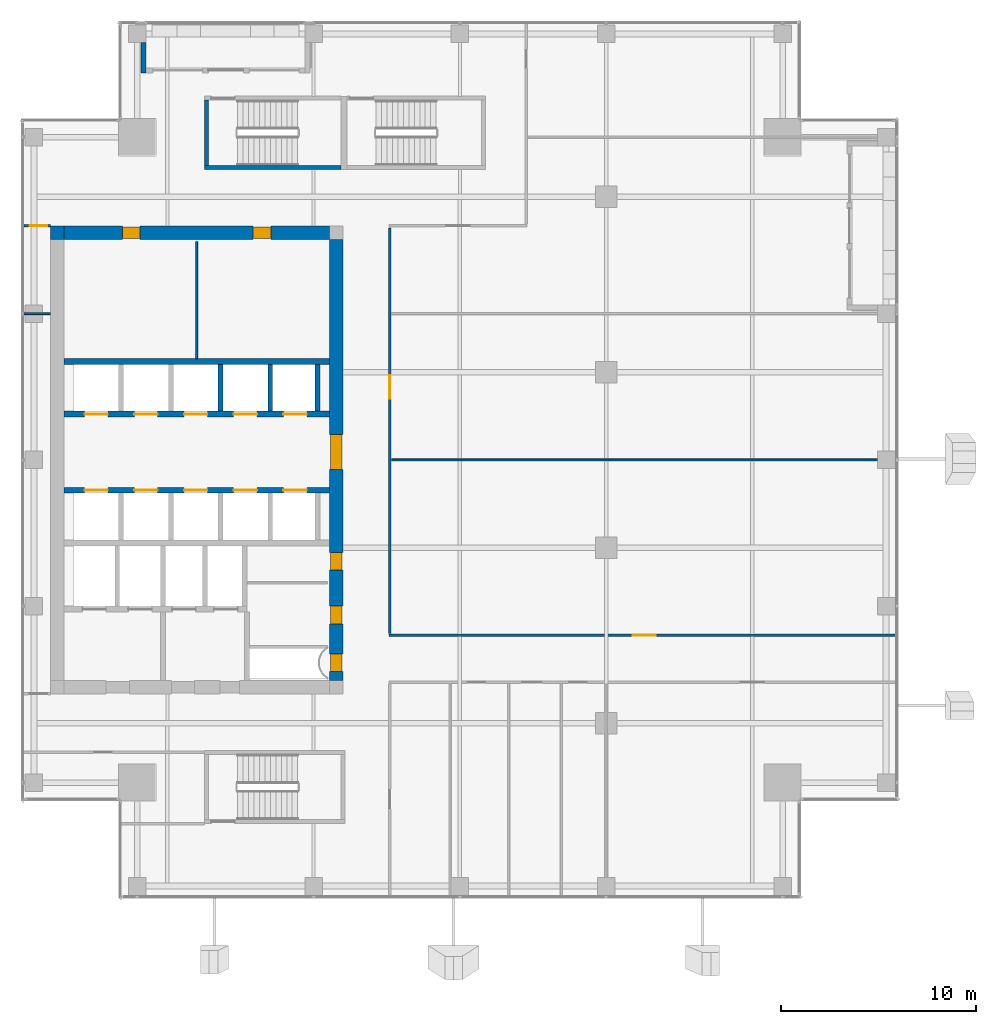
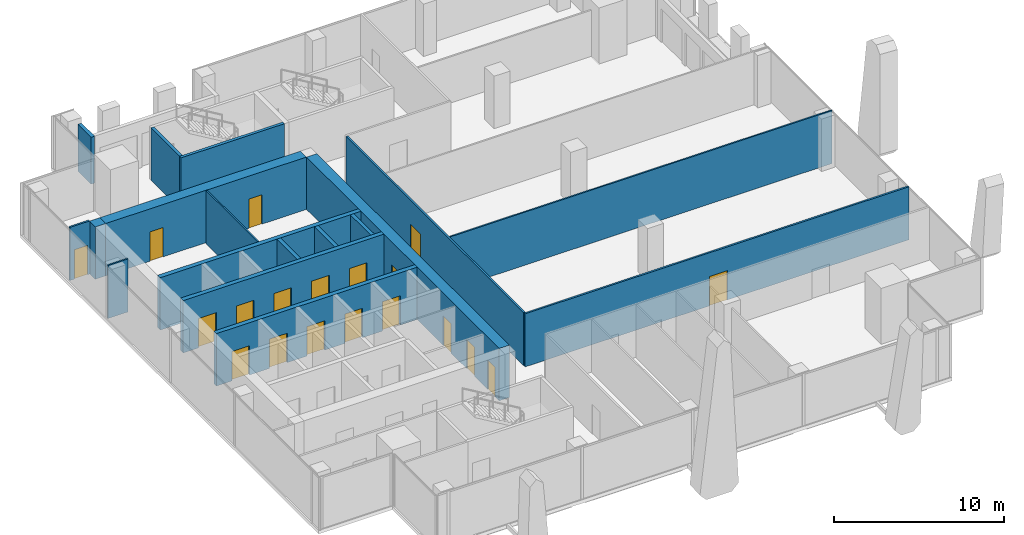
# One storey, part 31 of 35: 19 doors, 18 walls, 19 openings.
"""IFC4 building model written with IfcOpenShell, lengths in metres."""

from ifc_helpers import new_model, si_unit, direction, frame, frame_2d, origin, place, context, subcontext, project, spatial, rectangle, extrude, source, transform, mapped, material, layer, layer_set, type_object, element, fill, save


model = new_model("IFC4")

# Units and contexts
model_context = context("Model", 3, precision=1e-05, world=origin(), true_north=direction((0.0, 1.0)))
body_context = subcontext(model_context, "Body", "Model", "MODEL_VIEW")
ifc_project = project(units=[si_unit("LENGTHUNIT", "METRE"), si_unit("AREAUNIT", "SQUARE_METRE"), si_unit("VOLUMEUNIT", "CUBIC_METRE"), si_unit("PLANEANGLEUNIT", "RADIAN"), si_unit("MASSUNIT", "GRAM", prefix="KILO")], contexts=[model_context])

# Site, building, storey
site_placement = place(None, origin())
site = spatial("IfcSite", under=ifc_project, at=site_placement, CompositionType="ELEMENT")
building_placement = place(site_placement, origin())
building = spatial("IfcBuilding", under=site, at=building_placement, Name="Khomas Fold Tower", CompositionType="ELEMENT")
storey_placement = place(building_placement, frame((0.0, 0.0, 250.199951171875)))
storey = spatial("IfcBuildingStorey", under=building, at=storey_placement, Name="L56", CompositionType="ELEMENT", Elevation=250.199951171875)

# Walls
ifc_material_1 = material(Name="Concrete C50/60", Category="concrete")
ifc_layer_1 = layer(ifc_material_1, 0.199951171875)
ifc_layer_set_1 = layer_set([ifc_layer_1], Name="Concrete C50/60")
wall_type_1 = type_object("IfcWallType", Name="Stair wall 200", PredefinedType="SHEAR", material=ifc_layer_set_1)
shared_shape_1 = source(origin(), body_context, "Body", "SweptSolid", [
    extrude(rectangle(XDim=7.0, YDim=0.199951171875, at=frame_2d((3.5, 0.0))), origin(), (0.0, 0.0, 1.0), 3.75),
])
wall_1_placement = place(storey_placement, frame((13.89990234375, 42.0, 0.0), z_axis=(0.0, 0.0, 1.0), x_axis=(1.0, 0.0, 0.0)))
element("IfcWall", 1, at=wall_1_placement, inside=storey, type_object=wall_type_1, Name="Stair wall SW-ST1-S", PredefinedType="SHEAR", context=body_context, shape_type="MappedRepresentation", body=[
    mapped(shared_shape_1, transform((0.0, 0.0, 0.0))),
])
shared_shape_2 = source(origin(), body_context, "Body", "SweptSolid", [
    extrude(rectangle(XDim=3.349853515625, YDim=0.199951171875, at=frame_2d((1.6748046875, 0.0))), origin(), (0.0, 0.0, 1.0), 3.75),
])
wall_2_placement = place(storey_placement, frame((14.0, 42.10009765625, 0.0), z_axis=(0.0, 0.0, 1.0), x_axis=(0.0, 1.0, 0.0)))
element("IfcWall", 2, at=wall_2_placement, inside=storey, type_object=wall_type_1, Name="Stair wall SW-ST1-W", PredefinedType="SHEAR", context=body_context, shape_type="MappedRepresentation", body=[
    mapped(shared_shape_2, transform((0.0, 0.0, 0.0))),
])
ifc_material_2 = material(Name="Concrete C50/60", Category="concrete")
ifc_layer_2 = layer(ifc_material_2, 0.25)
ifc_layer_set_2 = layer_set([ifc_layer_2], Name="Concrete C50/60")
wall_type_2 = type_object("IfcWallType", Name="Shaft wall 250", PredefinedType="STANDARD", material=ifc_layer_set_2)
shared_shape_3 = source(origin(), body_context, "Body", "SweptSolid", [
    extrude(rectangle(XDim=2.39990234375, YDim=0.25, at=frame_2d((1.199951171875, 0.0))), origin(), (0.0, 0.0, 1.0), 3.75),
])
for number, where, z_axis, x_axis, name in (
    (3, (17.27490234375, 29.5, 0.0), (0.0, 0.0, 1.0), (0.0, 1.0, 0.0), "Core wall SW-HRN-MR-P1"),
    (4, (19.699951171875, 29.5, 0.0), (0.0, 0.0, 1.0), (0.0, 1.0, 0.0), "Core wall SW-HRN-MR-PE"),
    (5, (14.72509765625, 29.5, 0.0), (0.0, 0.0, 1.0), (0.0, 1.0, 0.0), "Core wall SW-HRN-PE"),
):
    element("IfcWall", number, at=place(storey_placement, frame(where, z_axis=z_axis, x_axis=x_axis)), inside=storey, type_object=wall_type_2, Name=name, PredefinedType="STANDARD", context=body_context, shape_type="MappedRepresentation", body=[
        mapped(shared_shape_3, transform((0.0, 0.0, 0.0))),
    ])

# Wall, openings, doors
ifc_material_3 = material(Name="Concrete C60/75", Category="concrete")
ifc_layer_3 = layer(ifc_material_3, 0.699951171875)
ifc_layer_set_3 = layer_set([ifc_layer_3], Name="Concrete C60/75")
wall_type_3 = type_object("IfcWallType", Name="Core wall 700", PredefinedType="SHEAR", material=ifc_layer_set_3)
shared_shape_4 = source(origin(), body_context, "Body", "SweptSolid", [
    extrude(rectangle(XDim=13.60009765625, YDim=0.699951171875, at=frame_2d((6.800048828125, 0.0))), origin(), (0.0, 0.0, 1.0), 3.75),
])
wall_3_placement = place(storey_placement, frame((6.699951171875, 38.64990234375, 0.0), z_axis=(0.0, 0.0, 1.0), x_axis=(1.0, 0.0, 0.0)))
wall_3 = element("IfcWall", 6, at=wall_3_placement, inside=storey, type_object=wall_type_3, Name="Core wall CW-U-N-L49", PredefinedType="SHEAR", context=body_context, shape_type="MappedRepresentation", body=[
    mapped(shared_shape_4, transform((0.0, 0.0, 0.0))),
])
shared_shape_5 = source(origin(), body_context, "Body", "SweptSolid", [
    extrude(rectangle(XDim=0.89990234375, YDim=2.10009765625, at=frame_2d((0.449951171875, 1.050048828125))), frame((0.0, 0.35986328125, 0.0), z_axis=(0.0, -1.0, 0.0), x_axis=(1.0, 0.0, 0.0)), (0.0, 0.0, 1.0), 0.719970703125),
])
opening_1_placement = place(wall_3_placement, frame((3.0, 0.0, 0.0)))
opening_1 = element("IfcOpeningElement", 7, at=opening_1_placement, cuts=wall_3, Name="Opening 0008", PredefinedType="OPENING", context=body_context, shape_type="MappedRepresentation", body=[
    mapped(shared_shape_5, transform((0.0, 0.0, 0.0))),
])
opening_2_placement = place(wall_3_placement, frame((9.699951171875, 0.0, 0.0)))
opening_2 = element("IfcOpeningElement", 8, at=opening_2_placement, cuts=wall_3, Name="Opening 0008", PredefinedType="OPENING", context=body_context, shape_type="MappedRepresentation", body=[
    mapped(shared_shape_5, transform((0.0, 0.0, 0.0))),
])
ifc_material_4 = material(Name="Timber door leaf", Category="wood")
door_type_1 = type_object("IfcDoorType", Name="Door 900x2100 right-hand", OperationType="SINGLE_SWING_RIGHT", PredefinedType="DOOR", material=ifc_material_4)
shared_shape_6 = source(origin(), body_context, "Body", "SweptSolid", [
    extrude(rectangle(XDim=0.89990234375, YDim=2.10009765625, at=frame_2d((0.449951171875, 1.050048828125))), frame((0.0, 0.2998046875, 0.0), z_axis=(0.0, -1.0, 0.0), x_axis=(1.0, 0.0, 0.0)), (0.0, 0.0, 1.0), 0.599853515625),
])
door_1_placement = place(opening_1_placement, origin())
door_1 = element("IfcDoor", 9, at=door_1_placement, inside=storey, type_object=door_type_1, Name="Door", OperationType="SINGLE_SWING_RIGHT", OverallHeight=2.10009765625, OverallWidth=0.89990234375, PredefinedType="DOOR", context=body_context, shape_type="MappedRepresentation", body=[
    mapped(shared_shape_6, transform((0.0, 0.0, 0.0))),
])
fill(opening_1, door_1)
door_2_placement = place(opening_2_placement, origin())
door_2 = element("IfcDoor", 10, at=door_2_placement, inside=storey, type_object=door_type_1, Name="Door", OperationType="SINGLE_SWING_RIGHT", OverallHeight=2.10009765625, OverallWidth=0.89990234375, PredefinedType="DOOR", context=body_context, shape_type="MappedRepresentation", body=[
    mapped(shared_shape_6, transform((0.0, 0.0, 0.0))),
])
fill(opening_2, door_2)

# Wall
ifc_material_5 = material(Name="Concrete C60/75", Category="concrete")
ifc_layer_4 = layer(ifc_material_5, 0.699951171875)
ifc_layer_set_4 = layer_set([ifc_layer_4], Name="Concrete C60/75")
wall_type_4 = type_object("IfcWallType", Name="Core corner wall 700", PredefinedType="SHEAR", material=ifc_layer_set_4)
shared_shape_7 = source(origin(), body_context, "Body", "SweptSolid", [
    extrude(rectangle(XDim=0.699951171875, YDim=0.699951171875, at=frame_2d((0.35009765625, 0.0))), origin(), (0.0, 0.0, 1.0), 3.75),
])
wall_4_placement = place(storey_placement, frame((6.0, 38.64990234375, 0.0), z_axis=(0.0, 0.0, 1.0), x_axis=(1.0, 0.0, 0.0)))
element("IfcWall", 11, at=wall_4_placement, inside=storey, type_object=wall_type_4, Name="Core wall CW-U-NW-L49", PredefinedType="SHEAR", context=body_context, shape_type="MappedRepresentation", body=[
    mapped(shared_shape_7, transform((0.0, 0.0, 0.0))),
])

# Wall, openings, doors
shared_shape_8 = source(origin(), body_context, "Body", "SweptSolid", [
    extrude(rectangle(XDim=22.60009765625, YDim=0.699951171875, at=frame_2d((11.300048828125, 0.0))), origin(), (0.0, 0.0, 1.0), 3.75),
])
wall_5_placement = place(storey_placement, frame((20.64990234375, 15.699951171875, 0.0), z_axis=(0.0, 0.0, 1.0), x_axis=(0.0, 1.0, 0.0)))
wall_5 = element("IfcWall", 12, at=wall_5_placement, inside=storey, type_object=wall_type_3, Name="Core wall CW-U-E-L49", PredefinedType="SHEAR", context=body_context, shape_type="MappedRepresentation", body=[
    mapped(shared_shape_8, transform((0.0, 0.0, 0.0))),
])
shared_shape_9 = source(origin(), body_context, "Body", "SweptSolid", [
    extrude(rectangle(XDim=1.800048828125, YDim=2.10009765625, at=frame_2d((0.89990234375, 1.050048828125))), frame((0.0, 0.35986328125, 0.0), z_axis=(0.0, -1.0, 0.0), x_axis=(1.0, 0.0, 0.0)), (0.0, 0.0, 1.0), 0.719970703125),
])
opening_3_placement = place(wall_5_placement, frame((10.800048828125, 0.0, 0.0)))
opening_3 = element("IfcOpeningElement", 13, at=opening_3_placement, cuts=wall_5, Name="Opening 0015", PredefinedType="OPENING", context=body_context, shape_type="MappedRepresentation", body=[
    mapped(shared_shape_9, transform((0.0, 0.0, 0.0))),
])
opening_4_placement = place(wall_5_placement, frame((0.449951171875, 0.0, 0.0)))
opening_4 = element("IfcOpeningElement", 14, at=opening_4_placement, cuts=wall_5, Name="Opening 0003", PredefinedType="OPENING", context=body_context, shape_type="MappedRepresentation", body=[
    mapped(shared_shape_5, transform((0.0, 0.0, 0.0))),
])
opening_5_placement = place(wall_5_placement, frame((2.89990234375, 0.0, 0.0)))
opening_5 = element("IfcOpeningElement", 15, at=opening_5_placement, cuts=wall_5, Name="Opening 0008", PredefinedType="OPENING", context=body_context, shape_type="MappedRepresentation", body=[
    mapped(shared_shape_5, transform((0.0, 0.0, 0.0))),
])
opening_6_placement = place(wall_5_placement, frame((5.64990234375, 0.0, 0.0)))
opening_6 = element("IfcOpeningElement", 16, at=opening_6_placement, cuts=wall_5, Name="Opening 0008", PredefinedType="OPENING", context=body_context, shape_type="MappedRepresentation", body=[
    mapped(shared_shape_5, transform((0.0, 0.0, 0.0))),
])
ifc_material_6 = material(Name="Steel door leaf", Category="steel")
door_type_2 = type_object("IfcDoorType", Name="Lobby door 1800x2100", OperationType="DOUBLE_DOOR_SINGLE_SWING", PredefinedType="DOOR", material=ifc_material_6)
shared_shape_10 = source(origin(), body_context, "Body", "SweptSolid", [
    extrude(rectangle(XDim=1.800048828125, YDim=2.10009765625, at=frame_2d((0.89990234375, 1.050048828125))), frame((0.0, 0.2998046875, 0.0), z_axis=(0.0, -1.0, 0.0), x_axis=(1.0, 0.0, 0.0)), (0.0, 0.0, 1.0), 0.599853515625),
])
door_3_placement = place(opening_3_placement, origin())
door_3 = element("IfcDoor", 17, at=door_3_placement, inside=storey, type_object=door_type_2, Name="Lobby door", OperationType="DOUBLE_DOOR_SINGLE_SWING", OverallHeight=2.10009765625, OverallWidth=1.800048828125, PredefinedType="DOOR", context=body_context, shape_type="MappedRepresentation", body=[
    mapped(shared_shape_10, transform((0.0, 0.0, 0.0))),
])
fill(opening_3, door_3)
ifc_material_7 = material(Name="Steel door leaf", Category="steel")
door_type_3 = type_object("IfcDoorType", Name="Plant room door 900x2100 right-hand", OperationType="SINGLE_SWING_RIGHT", PredefinedType="DOOR", material=ifc_material_7)
door_4_placement = place(opening_4_placement, origin())
door_4 = element("IfcDoor", 18, at=door_4_placement, inside=storey, type_object=door_type_3, Name="Plant room door", OperationType="SINGLE_SWING_RIGHT", OverallHeight=2.10009765625, OverallWidth=0.89990234375, PredefinedType="DOOR", context=body_context, shape_type="MappedRepresentation", body=[
    mapped(shared_shape_6, transform((0.0, 0.0, 0.0))),
])
fill(opening_4, door_4)
door_5_placement = place(opening_5_placement, origin())
door_5 = element("IfcDoor", 19, at=door_5_placement, inside=storey, type_object=door_type_1, Name="Door", OperationType="SINGLE_SWING_RIGHT", OverallHeight=2.10009765625, OverallWidth=0.89990234375, PredefinedType="DOOR", context=body_context, shape_type="MappedRepresentation", body=[
    mapped(shared_shape_6, transform((0.0, 0.0, 0.0))),
])
fill(opening_5, door_5)
door_6_placement = place(opening_6_placement, origin())
door_6 = element("IfcDoor", 20, at=door_6_placement, inside=storey, type_object=door_type_1, Name="Door", OperationType="SINGLE_SWING_RIGHT", OverallHeight=2.10009765625, OverallWidth=0.89990234375, PredefinedType="DOOR", context=body_context, shape_type="MappedRepresentation", body=[
    mapped(shared_shape_6, transform((0.0, 0.0, 0.0))),
])
fill(opening_6, door_6)

# Wall
ifc_material_8 = material(Name="Concrete C50/60", Category="concrete")
ifc_layer_5 = layer(ifc_material_8, 0.300048828125)
ifc_layer_set_5 = layer_set([ifc_layer_5], Name="Concrete C50/60")
wall_type_5 = type_object("IfcWallType", Name="Shaft wall 300", PredefinedType="STANDARD", material=ifc_layer_set_5)
shared_shape_11 = source(origin(), body_context, "Body", "SweptSolid", [
    extrude(rectangle(XDim=13.60009765625, YDim=0.300048828125, at=frame_2d((6.800048828125, 0.0))), origin(), (0.0, 0.0, 1.0), 3.75),
])
wall_6_placement = place(storey_placement, frame((6.699951171875, 32.050048828125, 0.0), z_axis=(0.0, 0.0, 1.0), x_axis=(1.0, 0.0, 0.0)))
element("IfcWall", 21, at=wall_6_placement, inside=storey, type_object=wall_type_5, Name="Core wall SW-HRN-B", PredefinedType="STANDARD", context=body_context, shape_type="MappedRepresentation", body=[
    mapped(shared_shape_11, transform((0.0, 0.0, 0.0))),
])

# Wall, openings, doors
wall_7_placement = place(storey_placement, frame((6.699951171875, 29.35009765625, 0.0), z_axis=(0.0, 0.0, 1.0), x_axis=(1.0, 0.0, 0.0)))
wall_7 = element("IfcWall", 22, at=wall_7_placement, inside=storey, type_object=wall_type_5, Name="Core wall SW-HRN-F", PredefinedType="STANDARD", context=body_context, shape_type="MappedRepresentation", body=[
    mapped(shared_shape_11, transform((0.0, 0.0, 0.0))),
])
shared_shape_12 = source(origin(), body_context, "Body", "SweptSolid", [
    extrude(rectangle(XDim=1.199951171875, YDim=2.10009765625, at=frame_2d((0.60009765625, 1.050048828125))), frame((0.0, 0.159912109375, 0.0), z_axis=(0.0, -1.0, 0.0), x_axis=(1.0, 0.0, 0.0)), (0.0, 0.0, 1.0), 0.320068359375),
])
opening_7_placement = place(wall_7_placement, frame((1.050048828125, 0.0, 0.0)))
opening_7 = element("IfcOpeningElement", 23, at=opening_7_placement, cuts=wall_7, Name="Opening LD-HR4", PredefinedType="OPENING", context=body_context, shape_type="MappedRepresentation", body=[
    mapped(shared_shape_12, transform((0.0, 0.0, 0.0))),
])
opening_8_placement = place(wall_7_placement, frame((3.60009765625, 0.0, 0.0)))
opening_8 = element("IfcOpeningElement", 24, at=opening_8_placement, cuts=wall_7, Name="Opening LD-HR5", PredefinedType="OPENING", context=body_context, shape_type="MappedRepresentation", body=[
    mapped(shared_shape_12, transform((0.0, 0.0, 0.0))),
])
opening_9_placement = place(wall_7_placement, frame((6.14990234375, 0.0, 0.0)))
opening_9 = element("IfcOpeningElement", 25, at=opening_9_placement, cuts=wall_7, Name="Opening LD-HR6", PredefinedType="OPENING", context=body_context, shape_type="MappedRepresentation", body=[
    mapped(shared_shape_12, transform((0.0, 0.0, 0.0))),
])
opening_10_placement = place(wall_7_placement, frame((8.699951171875, 0.0, 0.0)))
opening_10 = element("IfcOpeningElement", 26, at=opening_10_placement, cuts=wall_7, Name="Opening LD-MR3", PredefinedType="OPENING", context=body_context, shape_type="MappedRepresentation", body=[
    mapped(shared_shape_12, transform((0.0, 0.0, 0.0))),
])
opening_11_placement = place(wall_7_placement, frame((11.25, 0.0, 0.0)))
opening_11 = element("IfcOpeningElement", 27, at=opening_11_placement, cuts=wall_7, Name="Opening LD-MR4", PredefinedType="OPENING", context=body_context, shape_type="MappedRepresentation", body=[
    mapped(shared_shape_12, transform((0.0, 0.0, 0.0))),
])
ifc_material_9 = material(Name="Steel door leaf", Category="steel")
door_type_4 = type_object("IfcDoorType", Name="Landing door 1200x2100", OperationType="DOUBLE_DOOR_SLIDING", PredefinedType="DOOR", material=ifc_material_9)
shared_shape_13 = source(origin(), body_context, "Body", "SweptSolid", [
    extrude(rectangle(XDim=1.199951171875, YDim=2.10009765625, at=frame_2d((0.60009765625, 1.050048828125))), frame((0.0, 0.02490234375, 0.0), z_axis=(0.0, -1.0, 0.0), x_axis=(1.0, 0.0, 0.0)), (0.0, 0.0, 1.0), 0.050048828125),
])
door_7_placement = place(opening_7_placement, origin())
door_7 = element("IfcDoor", 28, at=door_7_placement, inside=storey, type_object=door_type_4, Name="Lift landing door", OperationType="DOUBLE_DOOR_SLIDING", OverallHeight=2.10009765625, OverallWidth=1.199951171875, PredefinedType="DOOR", context=body_context, shape_type="MappedRepresentation", body=[
    mapped(shared_shape_13, transform((0.0, 0.0, 0.0))),
])
fill(opening_7, door_7)
door_8_placement = place(opening_8_placement, origin())
door_8 = element("IfcDoor", 29, at=door_8_placement, inside=storey, type_object=door_type_4, Name="Lift landing door", OperationType="DOUBLE_DOOR_SLIDING", OverallHeight=2.10009765625, OverallWidth=1.199951171875, PredefinedType="DOOR", context=body_context, shape_type="MappedRepresentation", body=[
    mapped(shared_shape_13, transform((0.0, 0.0, 0.0))),
])
fill(opening_8, door_8)
door_9_placement = place(opening_9_placement, origin())
door_9 = element("IfcDoor", 30, at=door_9_placement, inside=storey, type_object=door_type_4, Name="Lift landing door", OperationType="DOUBLE_DOOR_SLIDING", OverallHeight=2.10009765625, OverallWidth=1.199951171875, PredefinedType="DOOR", context=body_context, shape_type="MappedRepresentation", body=[
    mapped(shared_shape_13, transform((0.0, 0.0, 0.0))),
])
fill(opening_9, door_9)
door_10_placement = place(opening_10_placement, origin())
door_10 = element("IfcDoor", 31, at=door_10_placement, inside=storey, type_object=door_type_4, Name="Lift landing door", OperationType="DOUBLE_DOOR_SLIDING", OverallHeight=2.10009765625, OverallWidth=1.199951171875, PredefinedType="DOOR", context=body_context, shape_type="MappedRepresentation", body=[
    mapped(shared_shape_13, transform((0.0, 0.0, 0.0))),
])
fill(opening_10, door_10)
door_11_placement = place(opening_11_placement, origin())
door_11 = element("IfcDoor", 32, at=door_11_placement, inside=storey, type_object=door_type_4, Name="Lift landing door", OperationType="DOUBLE_DOOR_SLIDING", OverallHeight=2.10009765625, OverallWidth=1.199951171875, PredefinedType="DOOR", context=body_context, shape_type="MappedRepresentation", body=[
    mapped(shared_shape_13, transform((0.0, 0.0, 0.0))),
])
fill(opening_11, door_11)

wall_8_placement = place(storey_placement, frame((6.699951171875, 25.449951171875, 0.0), z_axis=(0.0, 0.0, 1.0), x_axis=(1.0, 0.0, 0.0)))
wall_8 = element("IfcWall", 33, at=wall_8_placement, inside=storey, type_object=wall_type_5, Name="Core wall SW-HRS-F", PredefinedType="STANDARD", context=body_context, shape_type="MappedRepresentation", body=[
    mapped(shared_shape_11, transform((0.0, 0.0, 0.0))),
])
opening_12_placement = place(wall_8_placement, frame((1.050048828125, 0.0, 0.0)))
opening_12 = element("IfcOpeningElement", 34, at=opening_12_placement, cuts=wall_8, Name="Opening LD-HR1", PredefinedType="OPENING", context=body_context, shape_type="MappedRepresentation", body=[
    mapped(shared_shape_12, transform((0.0, 0.0, 0.0))),
])
opening_13_placement = place(wall_8_placement, frame((3.60009765625, 0.0, 0.0)))
opening_13 = element("IfcOpeningElement", 35, at=opening_13_placement, cuts=wall_8, Name="Opening LD-HR2", PredefinedType="OPENING", context=body_context, shape_type="MappedRepresentation", body=[
    mapped(shared_shape_12, transform((0.0, 0.0, 0.0))),
])
opening_14_placement = place(wall_8_placement, frame((6.14990234375, 0.0, 0.0)))
opening_14 = element("IfcOpeningElement", 36, at=opening_14_placement, cuts=wall_8, Name="Opening LD-HR3", PredefinedType="OPENING", context=body_context, shape_type="MappedRepresentation", body=[
    mapped(shared_shape_12, transform((0.0, 0.0, 0.0))),
])
opening_15_placement = place(wall_8_placement, frame((8.699951171875, 0.0, 0.0)))
opening_15 = element("IfcOpeningElement", 37, at=opening_15_placement, cuts=wall_8, Name="Opening LD-MR1", PredefinedType="OPENING", context=body_context, shape_type="MappedRepresentation", body=[
    mapped(shared_shape_12, transform((0.0, 0.0, 0.0))),
])
opening_16_placement = place(wall_8_placement, frame((11.25, 0.0, 0.0)))
opening_16 = element("IfcOpeningElement", 38, at=opening_16_placement, cuts=wall_8, Name="Opening LD-MR2", PredefinedType="OPENING", context=body_context, shape_type="MappedRepresentation", body=[
    mapped(shared_shape_12, transform((0.0, 0.0, 0.0))),
])
door_12_placement = place(opening_12_placement, origin())
door_12 = element("IfcDoor", 39, at=door_12_placement, inside=storey, type_object=door_type_4, Name="Lift landing door", OperationType="DOUBLE_DOOR_SLIDING", OverallHeight=2.10009765625, OverallWidth=1.199951171875, PredefinedType="DOOR", context=body_context, shape_type="MappedRepresentation", body=[
    mapped(shared_shape_13, transform((0.0, 0.0, 0.0))),
])
fill(opening_12, door_12)
door_13_placement = place(opening_13_placement, origin())
door_13 = element("IfcDoor", 40, at=door_13_placement, inside=storey, type_object=door_type_4, Name="Lift landing door", OperationType="DOUBLE_DOOR_SLIDING", OverallHeight=2.10009765625, OverallWidth=1.199951171875, PredefinedType="DOOR", context=body_context, shape_type="MappedRepresentation", body=[
    mapped(shared_shape_13, transform((0.0, 0.0, 0.0))),
])
fill(opening_13, door_13)
door_14_placement = place(opening_14_placement, origin())
door_14 = element("IfcDoor", 41, at=door_14_placement, inside=storey, type_object=door_type_4, Name="Lift landing door", OperationType="DOUBLE_DOOR_SLIDING", OverallHeight=2.10009765625, OverallWidth=1.199951171875, PredefinedType="DOOR", context=body_context, shape_type="MappedRepresentation", body=[
    mapped(shared_shape_13, transform((0.0, 0.0, 0.0))),
])
fill(opening_14, door_14)
door_15_placement = place(opening_15_placement, origin())
door_15 = element("IfcDoor", 42, at=door_15_placement, inside=storey, type_object=door_type_4, Name="Lift landing door", OperationType="DOUBLE_DOOR_SLIDING", OverallHeight=2.10009765625, OverallWidth=1.199951171875, PredefinedType="DOOR", context=body_context, shape_type="MappedRepresentation", body=[
    mapped(shared_shape_13, transform((0.0, 0.0, 0.0))),
])
fill(opening_15, door_15)
door_16_placement = place(opening_16_placement, origin())
door_16 = element("IfcDoor", 43, at=door_16_placement, inside=storey, type_object=door_type_4, Name="Lift landing door", OperationType="DOUBLE_DOOR_SLIDING", OverallHeight=2.10009765625, OverallWidth=1.199951171875, PredefinedType="DOOR", context=body_context, shape_type="MappedRepresentation", body=[
    mapped(shared_shape_13, transform((0.0, 0.0, 0.0))),
])
fill(opening_16, door_16)

# Walls
ifc_material_10 = material(Name="Natural stone", Category="masonry")
ifc_layer_6 = layer(ifc_material_10, 0.0400390625)
ifc_material_11 = material(Name="Mineral wool insulation", Category="insulation")
ifc_layer_7 = layer(ifc_material_11, 0.10009765625)
ifc_material_12 = material(Name="Masonry", Category="masonry")
ifc_layer_8 = layer(ifc_material_12, 0.110107421875)
ifc_layer_set_6 = layer_set([ifc_layer_6, ifc_layer_7, ifc_layer_8], Name="Stone-faced insulated masonry")
wall_type_6 = type_object("IfcWallType", Name="BL-Balcony wall", PredefinedType="SOLIDWALL", material=ifc_layer_set_6)
shared_shape_14 = source(origin(), body_context, "Body", "SweptSolid", [
    extrude(rectangle(XDim=1.5498046875, YDim=0.25, at=frame_2d((0.77490234375, 0.0))), origin(), (0.0, 0.0, 1.0), 3.35009765625),
])
wall_9_placement = place(storey_placement, frame((10.77490234375, 48.39990234375, 0.0), z_axis=(0.0, 0.0, 1.0), x_axis=(0.0, -1.0, 0.0)))
element("IfcWall", 44, at=wall_9_placement, inside=storey, type_object=wall_type_6, Name="Balcony return wall BAL-L56-N1-lo", PredefinedType="SOLIDWALL", context=body_context, shape_type="MappedRepresentation", body=[
    mapped(shared_shape_14, transform((0.0, 0.0, 0.0))),
])
ifc_material_13 = material(Name="Plasterboard partition")
ifc_layer_9 = layer(ifc_material_13, 0.10009765625)
ifc_layer_set_7 = layer_set([ifc_layer_9], Name="Plasterboard partition")
wall_type_7 = type_object("IfcWallType", Name="Partition PW1 100", PredefinedType="PARTITIONING", material=ifc_layer_set_7)
shared_shape_15 = source(origin(), body_context, "Body", "SweptSolid", [
    extrude(rectangle(XDim=6.0, YDim=0.10009765625, at=frame_2d((3.0, 0.0))), origin(), (0.0, 0.0, 1.0), 3.800048828125),
])
wall_10_placement = place(storey_placement, frame((13.5, 32.199951171875, 0.0), z_axis=(0.0, 0.0, 1.0), x_axis=(0.0, 1.0, 0.0)))
element("IfcWall", 45, at=wall_10_placement, inside=storey, type_object=wall_type_7, Name="Partition", PredefinedType="PARTITIONING", context=body_context, shape_type="MappedRepresentation", body=[
    mapped(shared_shape_15, transform((0.0, 0.0, 0.0))),
])

# Wall, opening, door
ifc_material_14 = material(Name="Plasterboard partition")
ifc_layer_10 = layer(ifc_material_14, 0.125)
ifc_layer_set_8 = layer_set([ifc_layer_10], Name="Plasterboard partition")
wall_type_8 = type_object("IfcWallType", Name="Partition PW2 125", PredefinedType="PARTITIONING", material=ifc_layer_set_8)
shared_shape_16 = source(origin(), body_context, "Body", "SweptSolid", [
    extrude(rectangle(XDim=1.35009765625, YDim=0.125, at=frame_2d((0.675048828125, 0.0))), origin(), (0.0, 0.0, 1.0), 3.800048828125),
])
wall_11_placement = place(storey_placement, frame((4.64990234375, 39.0, 0.0), z_axis=(0.0, 0.0, 1.0), x_axis=(1.0, 0.0, 0.0)))
wall_11 = element("IfcWall", 46, at=wall_11_placement, inside=storey, type_object=wall_type_8, Name="Partition", PredefinedType="PARTITIONING", context=body_context, shape_type="MappedRepresentation", body=[
    mapped(shared_shape_16, transform((0.0, 0.0, 0.0))),
])
shared_shape_17 = source(origin(), body_context, "Body", "SweptSolid", [
    extrude(rectangle(XDim=0.89990234375, YDim=2.10009765625, at=frame_2d((0.449951171875, 1.050048828125))), frame((0.0, 0.072509765625, 0.0), z_axis=(0.0, -1.0, 0.0), x_axis=(1.0, 0.0, 0.0)), (0.0, 0.0, 1.0), 0.14501953125),
])
opening_17_placement = place(wall_11_placement, frame((0.300048828125, 0.0, 0.0)))
opening_17 = element("IfcOpeningElement", 47, at=opening_17_placement, cuts=wall_11, Name="Opening 0008", PredefinedType="OPENING", context=body_context, shape_type="MappedRepresentation", body=[
    mapped(shared_shape_17, transform((0.0, 0.0, 0.0))),
])
shared_shape_18 = source(origin(), body_context, "Body", "SweptSolid", [
    extrude(rectangle(XDim=0.89990234375, YDim=2.10009765625, at=frame_2d((0.449951171875, 1.050048828125))), frame((0.0, 0.02490234375, 0.0), z_axis=(0.0, -1.0, 0.0), x_axis=(1.0, 0.0, 0.0)), (0.0, 0.0, 1.0), 0.050048828125),
])
door_17_placement = place(opening_17_placement, origin())
door_17 = element("IfcDoor", 48, at=door_17_placement, inside=storey, type_object=door_type_1, Name="Door", OperationType="SINGLE_SWING_RIGHT", OverallHeight=2.10009765625, OverallWidth=0.89990234375, PredefinedType="DOOR", context=body_context, shape_type="MappedRepresentation", body=[
    mapped(shared_shape_18, transform((0.0, 0.0, 0.0))),
])
fill(opening_17, door_17)

shared_shape_19 = source(origin(), body_context, "Body", "SweptSolid", [
    extrude(rectangle(XDim=26.0, YDim=0.125, at=frame_2d((13.0, 0.0))), origin(), (0.0, 0.0, 1.0), 3.800048828125),
])
wall_12_placement = place(storey_placement, frame((23.35009765625, 18.0, 0.0), z_axis=(0.0, 0.0, 1.0), x_axis=(1.0, 0.0, 0.0)))
wall_12 = element("IfcWall", 49, at=wall_12_placement, inside=storey, type_object=wall_type_8, Name="Partition", PredefinedType="PARTITIONING", context=body_context, shape_type="MappedRepresentation", body=[
    mapped(shared_shape_19, transform((0.0, 0.0, 0.0))),
])
shared_shape_20 = source(origin(), body_context, "Body", "SweptSolid", [
    extrude(rectangle(XDim=1.199951171875, YDim=2.10009765625, at=frame_2d((0.60009765625, 1.050048828125))), frame((0.0, 0.072509765625, 0.0), z_axis=(0.0, -1.0, 0.0), x_axis=(1.0, 0.0, 0.0)), (0.0, 0.0, 1.0), 0.14501953125),
])
opening_18_placement = place(wall_12_placement, frame((12.5, 0.0, 0.0)))
opening_18 = element("IfcOpeningElement", 50, at=opening_18_placement, cuts=wall_12, Name="Opening 0001", PredefinedType="OPENING", context=body_context, shape_type="MappedRepresentation", body=[
    mapped(shared_shape_20, transform((0.0, 0.0, 0.0))),
])
ifc_material_15 = material(Name="Timber door leaf", Category="wood")
door_type_5 = type_object("IfcDoorType", Name="Door 1200x2100 right-hand", OperationType="SINGLE_SWING_RIGHT", PredefinedType="DOOR", material=ifc_material_15)
door_18_placement = place(opening_18_placement, origin())
door_18 = element("IfcDoor", 51, at=door_18_placement, inside=storey, type_object=door_type_5, Name="Door", OperationType="SINGLE_SWING_RIGHT", OverallHeight=2.10009765625, OverallWidth=1.199951171875, PredefinedType="DOOR", context=body_context, shape_type="MappedRepresentation", body=[
    mapped(shared_shape_13, transform((0.0, 0.0, 0.0))),
])
fill(opening_18, door_18)

# Wall
shared_shape_21 = source(origin(), body_context, "Body", "SweptSolid", [
    extrude(rectangle(XDim=1.35009765625, YDim=0.10009765625, at=frame_2d((0.675048828125, 0.0))), origin(), (0.0, 0.0, 1.0), 3.800048828125),
])
wall_13_placement = place(storey_placement, frame((4.64990234375, 34.5, 0.0), z_axis=(0.0, 0.0, 1.0), x_axis=(1.0, 0.0, 0.0)))
element("IfcWall", 52, at=wall_13_placement, inside=storey, type_object=wall_type_7, Name="Partition", PredefinedType="PARTITIONING", context=body_context, shape_type="MappedRepresentation", body=[
    mapped(shared_shape_21, transform((0.0, 0.0, 0.0))),
])

# Wall, opening, door
shared_shape_22 = source(origin(), body_context, "Body", "SweptSolid", [
    extrude(rectangle(XDim=20.7998046875, YDim=0.125, at=frame_2d((10.39990234375, 0.0))), origin(), (0.0, 0.0, 1.0), 3.800048828125),
])
wall_14_placement = place(storey_placement, frame((23.39990234375, 18.10009765625, 0.0), z_axis=(0.0, 0.0, 1.0), x_axis=(0.0, 1.0, 0.0)))
wall_14 = element("IfcWall", 53, at=wall_14_placement, inside=storey, type_object=wall_type_8, Name="Partition", PredefinedType="PARTITIONING", context=body_context, shape_type="MappedRepresentation", body=[
    mapped(shared_shape_22, transform((0.0, 0.0, 0.0))),
])
opening_19_placement = place(wall_14_placement, frame((12.050048828125, 0.0, 0.0)))
opening_19 = element("IfcOpeningElement", 54, at=opening_19_placement, cuts=wall_14, Name="Opening 0001", PredefinedType="OPENING", context=body_context, shape_type="MappedRepresentation", body=[
    mapped(shared_shape_20, transform((0.0, 0.0, 0.0))),
])
door_19_placement = place(opening_19_placement, origin())
door_19 = element("IfcDoor", 55, at=door_19_placement, inside=storey, type_object=door_type_5, Name="Door", OperationType="SINGLE_SWING_RIGHT", OverallHeight=2.10009765625, OverallWidth=1.199951171875, PredefinedType="DOOR", context=body_context, shape_type="MappedRepresentation", body=[
    mapped(shared_shape_13, transform((0.0, 0.0, 0.0))),
])
fill(opening_19, door_19)

# Wall
shared_shape_23 = source(origin(), body_context, "Body", "SweptSolid", [
    extrude(rectangle(XDim=25.85009765625, YDim=0.10009765625, at=frame_2d((12.925048828125, 0.0))), origin(), (0.0, 0.0, 1.0), 3.800048828125),
])
wall_15_placement = place(storey_placement, frame((23.5, 27.0, 0.0), z_axis=(0.0, 0.0, 1.0), x_axis=(1.0, 0.0, 0.0)))
element("IfcWall", 56, at=wall_15_placement, inside=storey, type_object=wall_type_7, Name="Partition", PredefinedType="PARTITIONING", context=body_context, shape_type="MappedRepresentation", body=[
    mapped(shared_shape_23, transform((0.0, 0.0, 0.0))),
])

save(model, "model.ifc")
